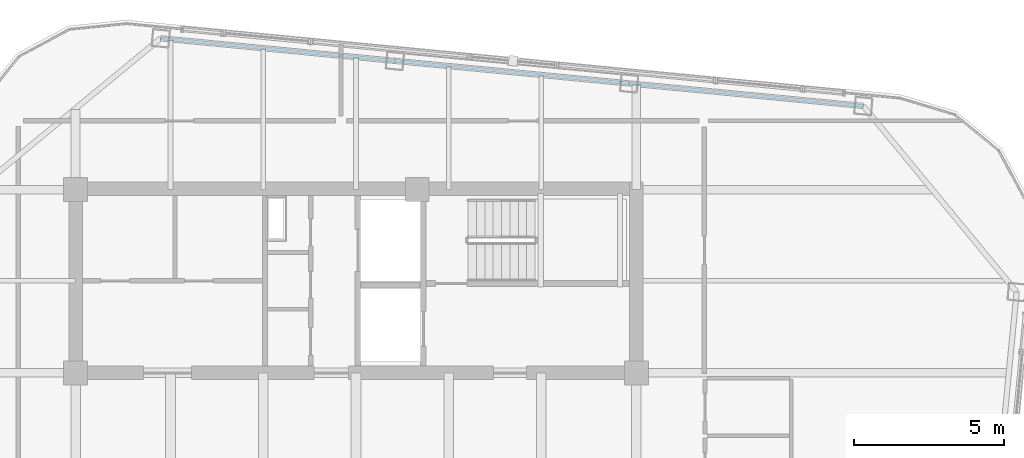
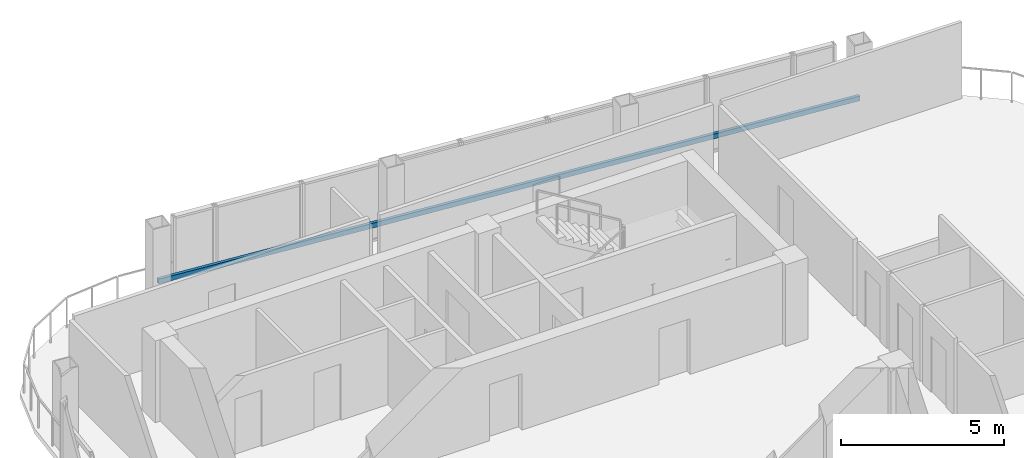
# One storey, part 18 of 26: 1 member.
"""IFC4 building model written with IfcOpenShell, lengths in metres."""

import ifcopenshell
import ifcopenshell.guid

model = None  # the IFC model being written
_history = None  # IfcOwnerHistory: only IFC2X3 demands one
_inside = {}  # id of a spatial element -> (the spatial element, [elements in it])
_under = {}  # id of a project, library or spatial element -> (it, [spatial elements below it])
_declared = {}  # id of a project -> (the project, [libraries it declares])
_typed = {}  # id of a type object -> (the type object, [elements of that type])
_made_of = {}  # id of a material, layer set ... -> (it, [elements and type objects made of it])


def new_model(schema):
    """Start an empty IFC model of exactly this schema.

    Asked for "IFC4X3", IfcOpenShell would pick the latest addendum, in which some entities
    have other attributes; the version numbers below select the first issue.
    IFC2X3 requires an IfcOwnerHistory on every rooted entity: one is made here for all.
    """
    global model, _history
    if schema == "IFC4X3":
        model = ifcopenshell.file(schema_version=(4, 3, 0, 0))
    else:
        model = ifcopenshell.file(schema=schema)
    _inside.clear()
    _under.clear()
    _declared.clear()
    _typed.clear()
    _made_of.clear()
    _history = None
    if model.schema == "IFC2X3":
        org = make("IfcOrganization", Name="unknown")
        user = make(
            "IfcPersonAndOrganization",
            ThePerson=make("IfcPerson", FamilyName="unknown"),
            TheOrganization=org,
        )
        app = make(
            "IfcApplication",
            ApplicationDeveloper=org,
            Version="unknown",
            ApplicationFullName="unknown",
            ApplicationIdentifier="unknown",
        )
        _history = make(
            "IfcOwnerHistory",
            OwningUser=user,
            OwningApplication=app,
            ChangeAction="ADDED",
            CreationDate=0,
        )
    return model


def make(cls, **values):
    """One entity of the class cls with the attributes given. An attribute that is None is left unset."""
    return model.create_entity(
        cls, **{name: value for name, value in values.items() if value is not None}
    )


def rooted(cls, **values):
    """An entity with a GlobalId (a new one), such as an element, a storey or a relation."""
    return make(cls, GlobalId=ifcopenshell.guid.new(), OwnerHistory=_history, **values)


def si_unit(unit_type, name, prefix=None):
    """IfcSIUnit, for example si_unit("LENGTHUNIT", "METRE", prefix="MILLI")."""
    return make("IfcSIUnit", UnitType=unit_type, Prefix=prefix, Name=name)


def assignment(units):
    """IfcUnitAssignment: the units of a project."""
    return None if units is None else make("IfcUnitAssignment", Units=units)


def point(xyz):
    """IfcCartesianPoint."""
    return None if xyz is None else make("IfcCartesianPoint", Coordinates=xyz)


def direction(xyz):
    """IfcDirection."""
    return None if xyz is None else make("IfcDirection", DirectionRatios=xyz)


def frame(location, z_axis=None, x_axis=None):
    """IfcAxis2Placement3D, a coordinate frame: its origin and axes. An axis left out is left unset."""
    return make(
        "IfcAxis2Placement3D",
        Location=point(location),
        Axis=direction(z_axis),
        RefDirection=direction(x_axis),
    )


def frame_2d(location, x_axis=None):
    """IfcAxis2Placement2D, a coordinate frame in the plane: its origin and x axis."""
    return make(
        "IfcAxis2Placement2D", Location=point(location), RefDirection=direction(x_axis)
    )


def origin():
    """The frame at (0, 0, 0) with its axes left unset."""
    return frame((0.0, 0.0, 0.0))


def origin_2d():
    """The frame at (0, 0) in the plane with its x axis left unset."""
    return frame_2d((0.0, 0.0))


def place(relative_to, where):
    """IfcLocalPlacement: puts the frame where relative to a parent placement (None: the world)."""
    return make(
        "IfcLocalPlacement", PlacementRelTo=relative_to, RelativePlacement=where
    )


def context(
    kind, dimensions, precision=None, world=None, true_north=None, identifier=None
):
    """IfcGeometricRepresentationContext, for example the 3D "Model" context."""
    return make(
        "IfcGeometricRepresentationContext",
        ContextIdentifier=identifier,
        ContextType=kind,
        CoordinateSpaceDimension=dimensions,
        Precision=precision,
        WorldCoordinateSystem=world,
        TrueNorth=true_north,
    )


def subcontext(parent, identifier, kind, view, scale=None):
    """IfcGeometricRepresentationSubContext, for example "Body" below "Model"."""
    return make(
        "IfcGeometricRepresentationSubContext",
        ContextIdentifier=identifier,
        ContextType=kind,
        ParentContext=parent,
        TargetScale=scale,
        TargetView=view,
    )


def project(units=None, contexts=None):
    """IfcProject with its units and contexts."""
    return rooted(
        "IfcProject",
        Name="project",
        RepresentationContexts=contexts,
        UnitsInContext=assignment(units),
    )


def spatial(cls, under=None, at=None, **own):
    """A site, building, storey or space (cls), placed at a placement, below another one or the project."""
    s = rooted(cls, ObjectPlacement=at, **own)
    if under is not None:
        _under.setdefault(under.id(), (under, []))[1].append(s)
    return s


def profile(cls, at=None, kind="AREA", **sizes):
    """A parametric profile (cls). Its sizes go by their IFC names, for example OverallWidth=200.0."""
    return make(cls, ProfileType=kind, Position=at, **sizes)


def hollow_rectangle(**sizes):
    """IfcRectangleHollowProfileDef."""
    return profile("IfcRectangleHollowProfileDef", **sizes)


def extrude(swept, where, along, depth):
    """IfcExtrudedAreaSolid: the profile swept, set in the frame where, extruded along a direction by depth."""
    return make(
        "IfcExtrudedAreaSolid",
        SweptArea=swept,
        Position=where,
        ExtrudedDirection=direction(along),
        Depth=depth,
    )


def shape(context_of_items, identifier, shape_type, items):
    """IfcShapeRepresentation: the items that make up one representation, for example the "Body"."""
    return make(
        "IfcShapeRepresentation",
        ContextOfItems=context_of_items,
        RepresentationIdentifier=identifier,
        RepresentationType=shape_type,
        Items=items,
    )


def material(Name=None, Category=None):
    """IfcMaterial."""
    return make("IfcMaterial", Name=Name, Category=Category)


def material_profile(
    of_material, cross_section, Name=None, Category=None, Priority=None
):
    """IfcMaterialProfile: a cross section and its material."""
    return make(
        "IfcMaterialProfile",
        Name=Name,
        Material=of_material,
        Profile=cross_section,
        Priority=Priority,
        Category=Category,
    )


def profile_set(profiles, Name=None, composite=None):
    """IfcMaterialProfileSet."""
    return make(
        "IfcMaterialProfileSet",
        Name=Name,
        MaterialProfiles=profiles,
        CompositeProfile=composite,
    )


def made_of(thing, what):
    """Note that an element or type object is made of a material, layer set ...; save() writes the relation."""
    if what is not None:
        _made_of.setdefault(what.id(), (what, []))[1].append(thing)
    return thing


def type_object(cls, material=None, **own):
    """A type object (cls), such as IfcWallType, which elements share."""
    return made_of(rooted(cls, **own), material)


def element(
    cls,
    number,
    at=None,
    inside=None,
    cuts=None,
    type_object=None,
    material=None,
    context=None,
    identifier="Body",
    shape_type=None,
    held_by="IfcProductDefinitionShape",
    body=None,
    shapes=None,
    **own,
):
    """One element of the class cls, such as IfcWall. Its Tag is "e" and its number.

    at: its placement. inside: the storey or other place that contains it. cuts: it is an
    opening in that element (IfcRelVoidsElement). A single representation is given by context,
    identifier, shape_type and body (its items); several are given by shapes. held_by: the class
    of the entity that holds the representations. save() writes the other relations.
    """
    e = rooted(cls, Tag="e%d" % number, ObjectPlacement=at, **own)
    if body is not None:
        shapes = [shape(context, identifier, shape_type, body)]
    if shapes is not None:
        e.Representation = make(held_by, Representations=shapes)
    if inside is not None:
        _inside.setdefault(inside.id(), (inside, []))[1].append(e)
    if cuts is not None:
        rooted(
            "IfcRelVoidsElement", RelatingBuildingElement=cuts, RelatedOpeningElement=e
        )
    if type_object is not None:
        _typed.setdefault(type_object.id(), (type_object, []))[1].append(e)
    return made_of(e, material)


def aggregate(whole, parts):
    """IfcRelAggregates: a whole, such as a stair, and the parts it consists of."""
    return rooted("IfcRelAggregates", RelatingObject=whole, RelatedObjects=parts)


def save(model, path):
    """Write the relations noted so far, then the file.

    IfcRelAggregates (storeys below a building ...), IfcRelContainedInSpatialStructure (elements
    in a storey), IfcRelDefinesByType, IfcRelAssociatesMaterial and IfcRelDeclares: one each for
    every whole, place, type object, material and project.
    """
    for whole, parts in _under.values():
        aggregate(whole, parts)
    for where, things in _inside.values():
        rooted(
            "IfcRelContainedInSpatialStructure",
            RelatedElements=things,
            RelatingStructure=where,
        )
    for kind, things in _typed.values():
        rooted("IfcRelDefinesByType", RelatedObjects=things, RelatingType=kind)
    for what, things in _made_of.values():
        rooted("IfcRelAssociatesMaterial", RelatedObjects=things, RelatingMaterial=what)
    for by, libraries in _declared.values():
        rooted("IfcRelDeclares", RelatingContext=by, RelatedDefinitions=libraries)
    model.write(path)


model = new_model("IFC4")

# Units and contexts
model_context = context("Model", 3, precision=1e-05, world=origin(), true_north=direction((0.0, 1.0)))
body_context = subcontext(model_context, "Body", "Model", "MODEL_VIEW")
ifc_project = project(units=[si_unit("LENGTHUNIT", "METRE"), si_unit("AREAUNIT", "SQUARE_METRE"), si_unit("VOLUMEUNIT", "CUBIC_METRE"), si_unit("PLANEANGLEUNIT", "RADIAN"), si_unit("MASSUNIT", "GRAM", prefix="KILO")], contexts=[model_context])

# Site, building, storey
site_placement = place(None, origin())
site = spatial("IfcSite", under=ifc_project, at=site_placement, CompositionType="ELEMENT")
building_placement = place(site_placement, origin())
building = spatial("IfcBuilding", under=site, at=building_placement, Name="Qhalaya Broadcast Tower", CompositionType="ELEMENT")
storey_placement = place(building_placement, frame((0.0, 0.0, 248.949951171875)))
storey = spatial("IfcBuildingStorey", under=building, at=storey_placement, Name="L73", CompositionType="ELEMENT", Elevation=248.949951171875)

# Member
ifc_material = material(Name="Fired Architectural Terracotta", Category="masonry")
ifc_material_profile = material_profile(ifc_material, hollow_rectangle(XDim=0.110107421875, YDim=0.179931640625, WallThickness=0.01806640625, at=origin_2d()), Name="TB-BAG 110x180x18")
ifc_profile_set = profile_set([ifc_material_profile], Name="Fired Architectural Terracotta")
member_type = type_object("IfcMemberType", Name="Fired Terracotta Facade Baguette Member TB1", PredefinedType="USERDEFINED", material=ifc_profile_set)
member_placement = place(storey_placement, frame((16.962890625, 12.74853515625, 0.858154296875), z_axis=(-0.995396131468, 0.095846447288, 0.0), x_axis=(-0.095846447288, -0.995396131468, 0.0)))
element("IfcMember", 1, at=member_placement, inside=storey, type_object=member_type, Name="L73 Terracotta Baguette Feature Rail N", ObjectType="BAGUETTE", PredefinedType="USERDEFINED", context=body_context, shape_type="SweptSolid", body=[
    extrude(hollow_rectangle(XDim=0.110107421875, YDim=0.179931640625, WallThickness=0.01806640625, at=origin_2d()), origin(), (0.0, 0.0, 1.0), 23.599853515625),
])

save(model, "model.ifc")
